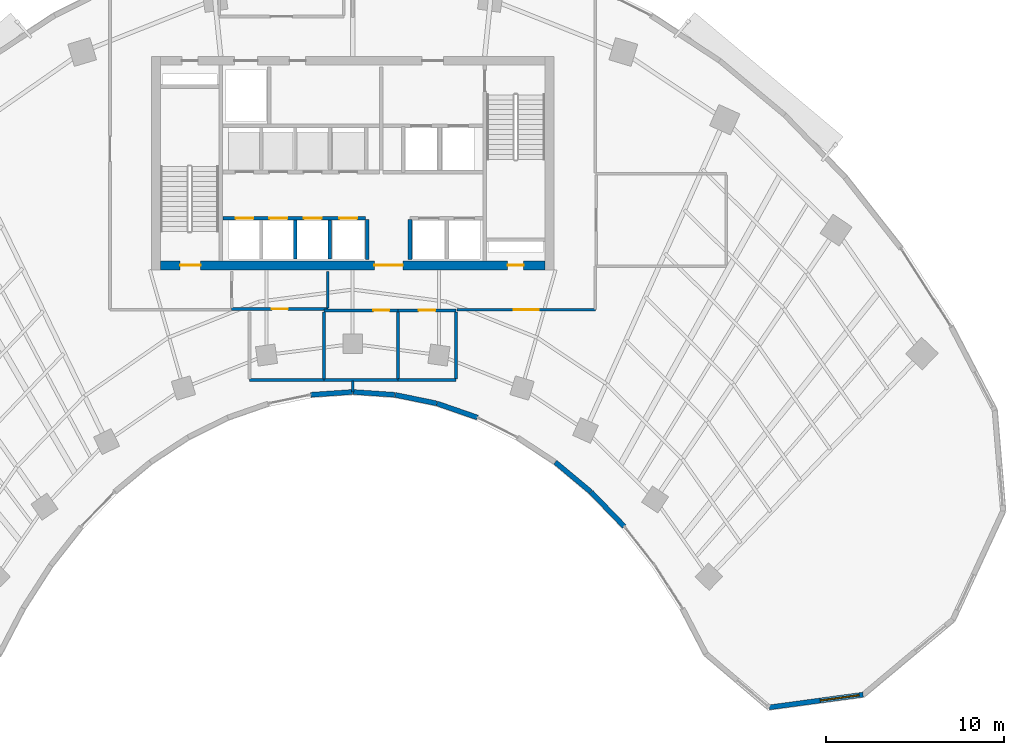
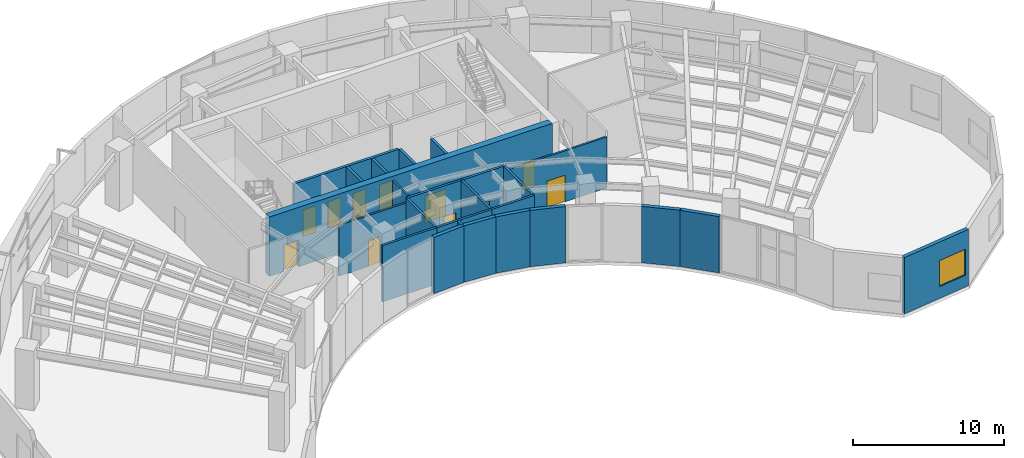
# One storey, part 9 of 15: 25 walls, 11 doors, 1 window, 12 openings.
"""IFC4 building model written with IfcOpenShell, lengths in metres."""

import ifcopenshell
import ifcopenshell.guid

model = None  # the IFC model being written
_history = None  # IfcOwnerHistory: only IFC2X3 demands one
_inside = {}  # id of a spatial element -> (the spatial element, [elements in it])
_under = {}  # id of a project, library or spatial element -> (it, [spatial elements below it])
_declared = {}  # id of a project -> (the project, [libraries it declares])
_typed = {}  # id of a type object -> (the type object, [elements of that type])
_made_of = {}  # id of a material, layer set ... -> (it, [elements and type objects made of it])


def new_model(schema):
    """Start an empty IFC model of exactly this schema.

    Asked for "IFC4X3", IfcOpenShell would pick the latest addendum, in which some entities
    have other attributes; the version numbers below select the first issue.
    IFC2X3 requires an IfcOwnerHistory on every rooted entity: one is made here for all.
    """
    global model, _history
    if schema == "IFC4X3":
        model = ifcopenshell.file(schema_version=(4, 3, 0, 0))
    else:
        model = ifcopenshell.file(schema=schema)
    _inside.clear()
    _under.clear()
    _declared.clear()
    _typed.clear()
    _made_of.clear()
    _history = None
    if model.schema == "IFC2X3":
        org = make("IfcOrganization", Name="unknown")
        user = make(
            "IfcPersonAndOrganization",
            ThePerson=make("IfcPerson", FamilyName="unknown"),
            TheOrganization=org,
        )
        app = make(
            "IfcApplication",
            ApplicationDeveloper=org,
            Version="unknown",
            ApplicationFullName="unknown",
            ApplicationIdentifier="unknown",
        )
        _history = make(
            "IfcOwnerHistory",
            OwningUser=user,
            OwningApplication=app,
            ChangeAction="ADDED",
            CreationDate=0,
        )
    return model


def make(cls, **values):
    """One entity of the class cls with the attributes given. An attribute that is None is left unset."""
    return model.create_entity(
        cls, **{name: value for name, value in values.items() if value is not None}
    )


def rooted(cls, **values):
    """An entity with a GlobalId (a new one), such as an element, a storey or a relation."""
    return make(cls, GlobalId=ifcopenshell.guid.new(), OwnerHistory=_history, **values)


def si_unit(unit_type, name, prefix=None):
    """IfcSIUnit, for example si_unit("LENGTHUNIT", "METRE", prefix="MILLI")."""
    return make("IfcSIUnit", UnitType=unit_type, Prefix=prefix, Name=name)


def assignment(units):
    """IfcUnitAssignment: the units of a project."""
    return None if units is None else make("IfcUnitAssignment", Units=units)


def point(xyz):
    """IfcCartesianPoint."""
    return None if xyz is None else make("IfcCartesianPoint", Coordinates=xyz)


def direction(xyz):
    """IfcDirection."""
    return None if xyz is None else make("IfcDirection", DirectionRatios=xyz)


def frame(location, z_axis=None, x_axis=None):
    """IfcAxis2Placement3D, a coordinate frame: its origin and axes. An axis left out is left unset."""
    return make(
        "IfcAxis2Placement3D",
        Location=point(location),
        Axis=direction(z_axis),
        RefDirection=direction(x_axis),
    )


def frame_2d(location, x_axis=None):
    """IfcAxis2Placement2D, a coordinate frame in the plane: its origin and x axis."""
    return make(
        "IfcAxis2Placement2D", Location=point(location), RefDirection=direction(x_axis)
    )


def origin():
    """The frame at (0, 0, 0) with its axes left unset."""
    return frame((0.0, 0.0, 0.0))


def place(relative_to, where):
    """IfcLocalPlacement: puts the frame where relative to a parent placement (None: the world)."""
    return make(
        "IfcLocalPlacement", PlacementRelTo=relative_to, RelativePlacement=where
    )


def context(
    kind, dimensions, precision=None, world=None, true_north=None, identifier=None
):
    """IfcGeometricRepresentationContext, for example the 3D "Model" context."""
    return make(
        "IfcGeometricRepresentationContext",
        ContextIdentifier=identifier,
        ContextType=kind,
        CoordinateSpaceDimension=dimensions,
        Precision=precision,
        WorldCoordinateSystem=world,
        TrueNorth=true_north,
    )


def subcontext(parent, identifier, kind, view, scale=None):
    """IfcGeometricRepresentationSubContext, for example "Body" below "Model"."""
    return make(
        "IfcGeometricRepresentationSubContext",
        ContextIdentifier=identifier,
        ContextType=kind,
        ParentContext=parent,
        TargetScale=scale,
        TargetView=view,
    )


def project(units=None, contexts=None):
    """IfcProject with its units and contexts."""
    return rooted(
        "IfcProject",
        Name="project",
        RepresentationContexts=contexts,
        UnitsInContext=assignment(units),
    )


def spatial(cls, under=None, at=None, **own):
    """A site, building, storey or space (cls), placed at a placement, below another one or the project."""
    s = rooted(cls, ObjectPlacement=at, **own)
    if under is not None:
        _under.setdefault(under.id(), (under, []))[1].append(s)
    return s


def profile(cls, at=None, kind="AREA", **sizes):
    """A parametric profile (cls). Its sizes go by their IFC names, for example OverallWidth=200.0."""
    return make(cls, ProfileType=kind, Position=at, **sizes)


def rectangle(**sizes):
    """IfcRectangleProfileDef."""
    return profile("IfcRectangleProfileDef", **sizes)


def extrude(swept, where, along, depth):
    """IfcExtrudedAreaSolid: the profile swept, set in the frame where, extruded along a direction by depth."""
    return make(
        "IfcExtrudedAreaSolid",
        SweptArea=swept,
        Position=where,
        ExtrudedDirection=direction(along),
        Depth=depth,
    )


def shape(context_of_items, identifier, shape_type, items):
    """IfcShapeRepresentation: the items that make up one representation, for example the "Body"."""
    return make(
        "IfcShapeRepresentation",
        ContextOfItems=context_of_items,
        RepresentationIdentifier=identifier,
        RepresentationType=shape_type,
        Items=items,
    )


def source(mapping_origin, context_of_items, identifier, shape_type, items):
    """IfcRepresentationMap: a shape defined once, which mapped items show again and again."""
    return make(
        "IfcRepresentationMap",
        MappingOrigin=mapping_origin,
        MappedRepresentation=shape(context_of_items, identifier, shape_type, items),
    )


def transform(
    local_origin,
    x_axis=None,
    y_axis=None,
    z_axis=None,
    scale=None,
    scale2=None,
    scale3=None,
    uniform=True,
):
    """IfcCartesianTransformationOperator3D, or its non-uniform kind. x_axis, y_axis, z_axis: its Axis1, 2, 3."""
    if uniform:
        return make(
            "IfcCartesianTransformationOperator3D",
            Axis1=direction(x_axis),
            Axis2=direction(y_axis),
            LocalOrigin=point(local_origin),
            Scale=scale,
            Axis3=direction(z_axis),
        )
    return make(
        "IfcCartesianTransformationOperator3DnonUniform",
        Axis1=direction(x_axis),
        Axis2=direction(y_axis),
        LocalOrigin=point(local_origin),
        Scale=scale,
        Axis3=direction(z_axis),
        Scale2=scale2,
        Scale3=scale3,
    )


def mapped(mapping_source, mapping_target):
    """IfcMappedItem: shows the shape of a source again, moved by a transform."""
    return make(
        "IfcMappedItem", MappingSource=mapping_source, MappingTarget=mapping_target
    )


def material(Name=None, Category=None):
    """IfcMaterial."""
    return make("IfcMaterial", Name=Name, Category=Category)


def layer(
    of_material, thickness, ventilated=None, Name=None, Category=None, Priority=None
):
    """IfcMaterialLayer: one layer of a wall or slab, of a material (None: an air gap)."""
    return make(
        "IfcMaterialLayer",
        Material=of_material,
        LayerThickness=thickness,
        IsVentilated=ventilated,
        Name=Name,
        Category=Category,
        Priority=Priority,
    )


def layer_set(layers, Name=None):
    """IfcMaterialLayerSet."""
    return make("IfcMaterialLayerSet", MaterialLayers=layers, LayerSetName=Name)


def made_of(thing, what):
    """Note that an element or type object is made of a material, layer set ...; save() writes the relation."""
    if what is not None:
        _made_of.setdefault(what.id(), (what, []))[1].append(thing)
    return thing


def type_object(cls, material=None, **own):
    """A type object (cls), such as IfcWallType, which elements share."""
    return made_of(rooted(cls, **own), material)


def type_shapes(of_type, sources):
    """Give a type object the sources (RepresentationMaps) that its elements show as mapped items."""
    of_type.RepresentationMaps = sources


def element(
    cls,
    number,
    at=None,
    inside=None,
    cuts=None,
    type_object=None,
    material=None,
    context=None,
    identifier="Body",
    shape_type=None,
    held_by="IfcProductDefinitionShape",
    body=None,
    shapes=None,
    **own,
):
    """One element of the class cls, such as IfcWall. Its Tag is "e" and its number.

    at: its placement. inside: the storey or other place that contains it. cuts: it is an
    opening in that element (IfcRelVoidsElement). A single representation is given by context,
    identifier, shape_type and body (its items); several are given by shapes. held_by: the class
    of the entity that holds the representations. save() writes the other relations.
    """
    e = rooted(cls, Tag="e%d" % number, ObjectPlacement=at, **own)
    if body is not None:
        shapes = [shape(context, identifier, shape_type, body)]
    if shapes is not None:
        e.Representation = make(held_by, Representations=shapes)
    if inside is not None:
        _inside.setdefault(inside.id(), (inside, []))[1].append(e)
    if cuts is not None:
        rooted(
            "IfcRelVoidsElement", RelatingBuildingElement=cuts, RelatedOpeningElement=e
        )
    if type_object is not None:
        _typed.setdefault(type_object.id(), (type_object, []))[1].append(e)
    return made_of(e, material)


def fill(opening, filler):
    """IfcRelFillsElement: the door or window that sits in an opening."""
    return rooted(
        "IfcRelFillsElement",
        RelatingOpeningElement=opening,
        RelatedBuildingElement=filler,
    )


def aggregate(whole, parts):
    """IfcRelAggregates: a whole, such as a stair, and the parts it consists of."""
    return rooted("IfcRelAggregates", RelatingObject=whole, RelatedObjects=parts)


def save(model, path):
    """Write the relations noted so far, then the file.

    IfcRelAggregates (storeys below a building ...), IfcRelContainedInSpatialStructure (elements
    in a storey), IfcRelDefinesByType, IfcRelAssociatesMaterial and IfcRelDeclares: one each for
    every whole, place, type object, material and project.
    """
    for whole, parts in _under.values():
        aggregate(whole, parts)
    for where, things in _inside.values():
        rooted(
            "IfcRelContainedInSpatialStructure",
            RelatedElements=things,
            RelatingStructure=where,
        )
    for kind, things in _typed.values():
        rooted("IfcRelDefinesByType", RelatedObjects=things, RelatingType=kind)
    for what, things in _made_of.values():
        rooted("IfcRelAssociatesMaterial", RelatedObjects=things, RelatingMaterial=what)
    for by, libraries in _declared.values():
        rooted("IfcRelDeclares", RelatingContext=by, RelatedDefinitions=libraries)
    model.write(path)


model = new_model("IFC4")

# Units and contexts
model_context = context("Model", 3, precision=1e-05, world=origin(), true_north=direction((0.0, 1.0)))
body_context = subcontext(model_context, "Body", "Model", "MODEL_VIEW")
ifc_project = project(units=[si_unit("LENGTHUNIT", "METRE"), si_unit("AREAUNIT", "SQUARE_METRE"), si_unit("VOLUMEUNIT", "CUBIC_METRE"), si_unit("PLANEANGLEUNIT", "RADIAN"), si_unit("MASSUNIT", "GRAM", prefix="KILO")], contexts=[model_context])

# Site, building, storey
site_placement = place(None, origin())
site = spatial("IfcSite", under=ifc_project, at=site_placement, CompositionType="ELEMENT")
building_placement = place(site_placement, origin())
building = spatial("IfcBuilding", under=site, at=building_placement, Name="Breltana Convention Tower", CompositionType="ELEMENT")
storey_placement = place(building_placement, frame((0.0, 0.0, 91.199951171875)))
storey = spatial("IfcBuildingStorey", under=building, at=storey_placement, Name="L21", CompositionType="ELEMENT", Elevation=91.199951171875)

# Wall, openings, doors
ifc_material_1 = material(Name="Concrete C60/75", Category="concrete")
ifc_layer_1 = layer(ifc_material_1, 0.5, Name="Concrete C60/75")
ifc_layer_set_1 = layer_set([ifc_layer_1], Name="Concrete C60/75")
wall_type_1 = type_object("IfcWallType", Name="SW-CORE-500", PredefinedType="SHEAR", material=ifc_layer_set_1)
shared_shape_1 = source(origin(), body_context, "Body", "SweptSolid", [
    extrude(rectangle(XDim=21.60009765625, YDim=0.5, at=frame_2d((10.800048828125, 0.0))), origin(), (0.0, 0.0, 1.0), 4.800048828125),
])
wall_1_placement = place(storey_placement, frame((37.199951171875, 60.449951171875, 0.0), z_axis=(0.0, 0.0, 1.0), x_axis=(1.0, 0.0, 0.0)))
wall_1 = element("IfcWall", 1, at=wall_1_placement, inside=storey, type_object=wall_type_1, Name="L21 South Core Shear Wall", PredefinedType="SHEAR", context=body_context, shape_type="MappedRepresentation", body=[
    mapped(shared_shape_1, transform((0.0, 0.0, 0.0), scale=1.0)),
])
opening_1_placement = place(wall_1_placement, frame((1.10009765625, 0.0, 0.0)))
opening_1 = element("IfcOpeningElement", 2, at=opening_1_placement, cuts=wall_1, Name="Opening D-11", PredefinedType="OPENING", context=body_context, shape_type="SweptSolid", body=[
    extrude(rectangle(XDim=1.14990234375, YDim=2.14990234375, at=frame_2d((0.574951171875, 1.074951171875))), frame((0.0, 0.260009765625, 0.0), z_axis=(0.0, -1.0, 0.0), x_axis=(1.0, 0.0, 0.0)), (0.0, 0.0, 1.0), 0.52001953125),
])
opening_2_placement = place(wall_1_placement, frame((19.5, 0.0, 0.0)))
opening_2 = element("IfcOpeningElement", 3, at=opening_2_placement, cuts=wall_1, Name="Opening D-18", PredefinedType="OPENING", context=body_context, shape_type="SweptSolid", body=[
    extrude(rectangle(XDim=0.89990234375, YDim=2.10009765625, at=frame_2d((0.449951171875, 1.050048828125))), frame((0.0, 0.260009765625, 0.0), z_axis=(0.0, -1.0, 0.0), x_axis=(1.0, 0.0, 0.0)), (0.0, 0.0, 1.0), 0.52001953125),
])
opening_3_placement = place(wall_1_placement, frame((12.02001953125, 0.0, 0.0)))
opening_3 = element("IfcOpeningElement", 4, at=opening_3_placement, cuts=wall_1, Name="Opening D-02", PredefinedType="OPENING", context=body_context, shape_type="SweptSolid", body=[
    extrude(rectangle(XDim=1.60009765625, YDim=2.14990234375, at=frame_2d((0.800048828125, 1.074951171875))), frame((0.0, 0.260009765625, 0.0), z_axis=(0.0, -1.0, 0.0), x_axis=(1.0, 0.0, 0.0)), (0.0, 0.0, 1.0), 0.52001953125),
])
ifc_material_2 = material(Name="Steel Stair Exit Door", Category="steel")
door_type_1 = type_object("IfcDoorType", Name="DR-FD120-1150", OperationType="NOTDEFINED", PredefinedType="DOOR", material=ifc_material_2)
shared_shape_2 = source(origin(), body_context, "Body", "SweptSolid", [
    extrude(rectangle(XDim=1.14990234375, YDim=2.14990234375, at=frame_2d((0.574951171875, 1.074951171875))), frame((0.0, 0.02490234375, 0.0), z_axis=(0.0, -1.0, 0.0), x_axis=(1.0, 0.0, 0.0)), (0.0, 0.0, 1.0), 0.050048828125),
])
type_shapes(door_type_1, [shared_shape_2])
door_1_placement = place(opening_1_placement, origin())
door_1 = element("IfcDoor", 5, at=door_1_placement, inside=storey, type_object=door_type_1, Name="L21 interior door D-L21-ST1", OperationType="SINGLE_SWING_LEFT", OverallHeight=2.14990234375, OverallWidth=1.14990234375, PredefinedType="DOOR", context=body_context, shape_type="MappedRepresentation", body=[
    mapped(shared_shape_2, transform((0.0, 0.0, 0.0), scale=1.0)),
])
fill(opening_1, door_1)
ifc_material_3 = material(Name="Steel Riser Fire Door", Category="steel")
door_type_2 = type_object("IfcDoorType", Name="DR-FD60-900", OperationType="NOTDEFINED", PredefinedType="DOOR", material=ifc_material_3)
shared_shape_3 = source(origin(), body_context, "Body", "SweptSolid", [
    extrude(rectangle(XDim=0.89990234375, YDim=2.10009765625, at=frame_2d((0.449951171875, 1.050048828125))), frame((0.0, 0.02490234375, 0.0), z_axis=(0.0, -1.0, 0.0), x_axis=(1.0, 0.0, 0.0)), (0.0, 0.0, 1.0), 0.050048828125),
])
type_shapes(door_type_2, [shared_shape_3])
door_2_placement = place(opening_2_placement, origin())
door_2 = element("IfcDoor", 6, at=door_2_placement, inside=storey, type_object=door_type_2, Name="L21 Core Riser Access Door D-L21-RS2", OperationType="SINGLE_SWING_RIGHT", OverallHeight=2.10009765625, OverallWidth=0.89990234375, PredefinedType="DOOR", context=body_context, shape_type="MappedRepresentation", body=[
    mapped(shared_shape_3, transform((0.0, 0.0, 0.0), scale=1.0)),
])
fill(opening_2, door_2)
ifc_material_4 = material(Name="Steel Glazed Smoke-Control Door", Category="steel")
door_type_3 = type_object("IfcDoorType", Name="DR-DBL-FD90-1600", OperationType="DOUBLE_DOOR_SINGLE_SWING", PredefinedType="DOOR", material=ifc_material_4)
shared_shape_4 = source(origin(), body_context, "Body", "SweptSolid", [
    extrude(rectangle(XDim=1.60009765625, YDim=2.14990234375, at=frame_2d((0.800048828125, 1.074951171875))), frame((0.0, 0.02490234375, 0.0), z_axis=(0.0, -1.0, 0.0), x_axis=(1.0, 0.0, 0.0)), (0.0, 0.0, 1.0), 0.050048828125),
])
type_shapes(door_type_3, [shared_shape_4])
door_3_placement = place(opening_3_placement, origin())
door_3 = element("IfcDoor", 7, at=door_3_placement, inside=storey, type_object=door_type_3, Name="L21 interior door D-L21-LLB-S", OperationType="DOUBLE_DOOR_SINGLE_SWING", OverallHeight=2.14990234375, OverallWidth=1.60009765625, PredefinedType="DOOR", context=body_context, shape_type="MappedRepresentation", body=[
    mapped(shared_shape_4, transform((0.0, 0.0, 0.0), scale=1.0)),
])
fill(opening_3, door_3)

# Wall, opening, window
ifc_material_5 = material(Name="Limestone Buff Insulated Wall", Category="masonry")
ifc_layer_2 = layer(ifc_material_5, 0.280029296875, Name="Limestone Buff Insulated Wall")
ifc_layer_set_2 = layer_set([ifc_layer_2], Name="Limestone Buff Insulated Wall")
wall_type_2 = type_object("IfcWallType", Name="WL-EXT-NOSE-280", PredefinedType="SOLIDWALL", material=ifc_layer_set_2)
shared_shape_5 = source(origin(), body_context, "Body", "SweptSolid", [
    extrude(rectangle(XDim=5.32373046875, YDim=0.280029296875, at=frame_2d((2.661865234375, 0.0))), origin(), (0.0, 0.0, 1.0), 4.550048828125),
])
wall_2_placement = place(storey_placement, frame((76.685791015625, 36.321533203125, 0.0), z_axis=(0.0, 0.0, 1.0), x_axis=(-0.990931467223, -0.134368252451, 0.0)))
wall_2 = element("IfcWall", 8, at=wall_2_placement, inside=storey, type_object=wall_type_2, Name="L21 curved limestone nose wall E4", PredefinedType="SOLIDWALL", context=body_context, shape_type="MappedRepresentation", body=[
    mapped(shared_shape_5, transform((0.0, 0.0, 0.0), scale=1.0)),
])
opening_4_placement = place(wall_2_placement, frame((0.23095703125, 0.0, 0.949951171875)))
opening_4 = element("IfcOpeningElement", 9, at=opening_4_placement, cuts=wall_2, Name="Opening W-03", PredefinedType="OPENING", context=body_context, shape_type="SweptSolid", body=[
    extrude(rectangle(XDim=2.199951171875, YDim=2.10009765625, at=frame_2d((1.10009765625, 1.050048828125))), frame((0.0, 0.14990234375, 0.0), z_axis=(0.0, -1.0, 0.0), x_axis=(1.0, 0.0, 0.0)), (0.0, 0.0, 1.0), 0.300048828125),
])
ifc_material_6 = material(Name="Glass Low-E Insulated Window", Category="glass")
window_type = type_object("IfcWindowType", Name="WN-NOSE-2200X2100", PartitioningType="TRIPLE_PANEL_VERTICAL", PredefinedType="WINDOW", material=ifc_material_6)
shared_shape_6 = source(origin(), body_context, "Body", "SweptSolid", [
    extrude(rectangle(XDim=2.199951171875, YDim=2.10009765625, at=frame_2d((1.10009765625, 1.050048828125))), frame((0.0, 0.030029296875, 0.0), z_axis=(0.0, -1.0, 0.0), x_axis=(1.0, 0.0, 0.0)), (0.0, 0.0, 1.0), 0.06005859375),
])
type_shapes(window_type, [shared_shape_6])
window_placement = place(opening_4_placement, origin())
window = element("IfcWindow", 10, at=window_placement, inside=storey, type_object=window_type, Name="L21 nose window E4", OverallHeight=2.10009765625, OverallWidth=2.199951171875, PartitioningType="TRIPLE_PANEL_VERTICAL", PredefinedType="WINDOW", context=body_context, shape_type="MappedRepresentation", body=[
    mapped(shared_shape_6, transform((0.0, 0.0, 0.0), scale=1.0)),
])
fill(opening_4, window)

# Walls
shared_shape_7 = source(origin(), body_context, "Body", "SweptSolid", [
    extrude(rectangle(XDim=2.679931640625, YDim=0.280029296875, at=frame_2d((1.33984375, 0.0))), origin(), (0.0, 0.0, 1.0), 4.550048828125),
])
wall_3_placement = place(storey_placement, frame((63.260009765625, 45.780029296875, 0.0), z_axis=(0.0, 0.0, 1.0), x_axis=(-0.694561996568, 0.719432855049, 0.0)))
element("IfcWall", 11, at=wall_3_placement, inside=storey, type_object=wall_type_2, Name="L21 curved limestone nose wall E7", PredefinedType="SOLIDWALL", context=body_context, shape_type="MappedRepresentation", body=[
    mapped(shared_shape_7, transform((0.0, 0.0, 0.0), scale=1.0)),
])
shared_shape_8 = source(origin(), body_context, "Body", "SweptSolid", [
    extrude(rectangle(XDim=2.600830078125, YDim=0.280029296875, at=frame_2d((1.30029296875, 0.0))), origin(), (0.0, 0.0, 1.0), 4.550048828125),
])
wall_4_placement = place(storey_placement, frame((61.384521484375, 47.72119140625, 0.0), z_axis=(0.0, 0.0, 1.0), x_axis=(-0.76796730295, 0.640489048775, 0.0)))
element("IfcWall", 12, at=wall_4_placement, inside=storey, type_object=wall_type_2, Name="L21 curved limestone nose wall E8", PredefinedType="SOLIDWALL", context=body_context, shape_type="MappedRepresentation", body=[
    mapped(shared_shape_8, transform((0.0, 0.0, 0.0), scale=1.0)),
])
shared_shape_9 = source(origin(), body_context, "Body", "SweptSolid", [
    extrude(rectangle(XDim=2.41064453125, YDim=0.280029296875, at=frame_2d((1.205322265625, 0.0))), origin(), (0.0, 0.0, 1.0), 4.550048828125),
])
wall_5_placement = place(storey_placement, frame((55.01171875, 51.8994140625, 0.0), z_axis=(0.0, 0.0, 1.0), x_axis=(-0.944880068161, 0.327416640982, 0.0)))
element("IfcWall", 13, at=wall_5_placement, inside=storey, type_object=wall_type_2, Name="L21 curved limestone nose wall E10", PredefinedType="SOLIDWALL", context=body_context, shape_type="MappedRepresentation", body=[
    mapped(shared_shape_9, transform((0.0, 0.0, 0.0), scale=1.0)),
])
shared_shape_10 = source(origin(), body_context, "Body", "SweptSolid", [
    extrude(rectangle(XDim=2.373779296875, YDim=0.280029296875, at=frame_2d((1.18701171875, 0.0))), origin(), (0.0, 0.0, 1.0), 4.550048828125),
])
wall_6_placement = place(storey_placement, frame((52.711181640625, 52.695068359375, 0.0), z_axis=(0.0, 0.0, 1.0), x_axis=(-0.979619827472, 0.200860632341, 0.0)))
element("IfcWall", 14, at=wall_6_placement, inside=storey, type_object=wall_type_2, Name="L21 curved limestone nose wall E11", PredefinedType="SOLIDWALL", context=body_context, shape_type="MappedRepresentation", body=[
    mapped(shared_shape_10, transform((0.0, 0.0, 0.0), scale=1.0)),
])
shared_shape_11 = source(origin(), body_context, "Body", "SweptSolid", [
    extrude(rectangle(XDim=2.35498046875, YDim=0.280029296875, at=frame_2d((1.177490234375, 0.0))), origin(), (0.0, 0.0, 1.0), 4.550048828125),
])
for number, where, z_axis, x_axis, name in (
    (15, (50.36181640625, 53.175048828125, 0.0), (0.0, 0.0, 1.0), (-0.997699017577, 0.067798748701, 0.0), "L21 curved limestone nose wall E12"),
    (16, (47.98779296875, 53.334716796875, 0.0), (0.0, 0.0, 1.0), (-0.997699017577, -0.067798748701, 0.0), "L21 curved limestone nose wall E13"),
):
    element("IfcWall", number, at=place(storey_placement, frame(where, z_axis=z_axis, x_axis=x_axis)), inside=storey, type_object=wall_type_2, Name=name, PredefinedType="SOLIDWALL", context=body_context, shape_type="MappedRepresentation", body=[
        mapped(shared_shape_11, transform((0.0, 0.0, 0.0), scale=1.0)),
    ])
ifc_material_7 = material(Name="Autoclaved Aerated Concrete Block", Category="concrete")
ifc_layer_3 = layer(ifc_material_7, 0.199951171875, Name="Autoclaved Aerated Concrete Block")
ifc_layer_set_3 = layer_set([ifc_layer_3], Name="Autoclaved Aerated Concrete Block")
wall_type_3 = type_object("IfcWallType", Name="WL-SHAFT-200", PredefinedType="SOLIDWALL", material=ifc_layer_set_3)
shared_shape_12 = source(origin(), body_context, "Body", "SweptSolid", [
    extrude(rectangle(XDim=2.239990234375, YDim=0.199951171875, at=frame_2d((1.1201171875, 0.0))), origin(), (0.0, 0.0, 1.0), 4.550048828125),
])
for number, where, z_axis, x_axis, name in (
    (17, (48.820068359375, 60.780029296875, 0.0), (0.0, 0.0, 1.0), (0.0, 1.0, 0.0), "L21 interior partition W-L21-PORT-W"),
    (18, (51.219970703125, 60.780029296875, 0.0), (0.0, 0.0, 1.0), (0.0, 1.0, 0.0), "L21 interior partition W-L21-PORT-E"),
):
    element("IfcWall", number, at=place(storey_placement, frame(where, z_axis=z_axis, x_axis=x_axis)), inside=storey, type_object=wall_type_3, Name=name, PredefinedType="SOLIDWALL", context=body_context, shape_type="MappedRepresentation", body=[
        mapped(shared_shape_12, transform((0.0, 0.0, 0.0), scale=1.0)),
    ])

# Wall, openings, doors
shared_shape_13 = source(origin(), body_context, "Body", "SweptSolid", [
    extrude(rectangle(XDim=8.02001953125, YDim=0.199951171875, at=frame_2d((4.010009765625, 0.0))), origin(), (0.0, 0.0, 1.0), 4.550048828125),
])
wall_7_placement = place(storey_placement, frame((40.699951171875, 63.10009765625, 0.0), z_axis=(0.0, 0.0, 1.0), x_axis=(1.0, 0.0, 0.0)))
wall_7 = element("IfcWall", 19, at=wall_7_placement, inside=storey, type_object=wall_type_3, Name="L21 interior partition W-L21-SH-S-FRONT", PredefinedType="SOLIDWALL", context=body_context, shape_type="MappedRepresentation", body=[
    mapped(shared_shape_13, transform((0.0, 0.0, 0.0), scale=1.0)),
])
opening_5_placement = place(wall_7_placement, frame((0.719970703125, 0.0, 0.0)))
opening_5 = element("IfcOpeningElement", 20, at=opening_5_placement, cuts=wall_7, Name="Opening LD-04", PredefinedType="OPENING", context=body_context, shape_type="SweptSolid", body=[
    extrude(rectangle(XDim=1.0, YDim=2.14990234375, at=frame_2d((0.5, 1.074951171875))), frame((0.0, 0.10986328125, 0.0), z_axis=(0.0, -1.0, 0.0), x_axis=(1.0, 0.0, 0.0)), (0.0, 0.0, 1.0), 0.219970703125),
])
opening_6_placement = place(wall_7_placement, frame((2.6201171875, 0.0, 0.0)))
opening_6 = element("IfcOpeningElement", 21, at=opening_6_placement, cuts=wall_7, Name="Opening LD-04", PredefinedType="OPENING", context=body_context, shape_type="SweptSolid", body=[
    extrude(rectangle(XDim=1.0, YDim=2.14990234375, at=frame_2d((0.5, 1.074951171875))), frame((0.0, 0.10986328125, 0.0), z_axis=(0.0, -1.0, 0.0), x_axis=(1.0, 0.0, 0.0)), (0.0, 0.0, 1.0), 0.219970703125),
])
opening_7_placement = place(wall_7_placement, frame((4.550048828125, 0.0, 0.0)))
opening_7 = element("IfcOpeningElement", 22, at=opening_7_placement, cuts=wall_7, Name="Opening LD-04", PredefinedType="OPENING", context=body_context, shape_type="SweptSolid", body=[
    extrude(rectangle(XDim=1.0, YDim=2.14990234375, at=frame_2d((0.5, 1.074951171875))), frame((0.0, 0.10986328125, 0.0), z_axis=(0.0, -1.0, 0.0), x_axis=(1.0, 0.0, 0.0)), (0.0, 0.0, 1.0), 0.219970703125),
])
opening_8_placement = place(wall_7_placement, frame((6.550048828125, 0.0, 0.0)))
opening_8 = element("IfcOpeningElement", 23, at=opening_8_placement, cuts=wall_7, Name="Opening LD-04", PredefinedType="OPENING", context=body_context, shape_type="SweptSolid", body=[
    extrude(rectangle(XDim=1.0, YDim=2.14990234375, at=frame_2d((0.5, 1.074951171875))), frame((0.0, 0.10986328125, 0.0), z_axis=(0.0, -1.0, 0.0), x_axis=(1.0, 0.0, 0.0)), (0.0, 0.0, 1.0), 0.219970703125),
])
ifc_material_8 = material(Name="Stainless Steel Brushed", Category="steel")
door_type_4 = type_object("IfcDoorType", Name="DR-LD-PAX-1000", OperationType="DOUBLE_DOOR_SLIDING", PredefinedType="DOOR", material=ifc_material_8)
shared_shape_14 = source(origin(), body_context, "Body", "SweptSolid", [
    extrude(rectangle(XDim=1.0, YDim=2.14990234375, at=frame_2d((0.5, 1.074951171875))), frame((0.0, 0.02490234375, 0.0), z_axis=(0.0, -1.0, 0.0), x_axis=(1.0, 0.0, 0.0)), (0.0, 0.0, 1.0), 0.050048828125),
])
type_shapes(door_type_4, [shared_shape_14])
door_4_placement = place(opening_5_placement, origin())
door_4 = element("IfcDoor", 24, at=door_4_placement, inside=storey, type_object=door_type_4, Name="L21 Lift Landing Door D-L21-LD-S1", OperationType="DOUBLE_DOOR_SLIDING", OverallHeight=2.14990234375, OverallWidth=1.0, PredefinedType="DOOR", context=body_context, shape_type="MappedRepresentation", body=[
    mapped(shared_shape_14, transform((0.0, 0.0, 0.0), scale=1.0)),
])
fill(opening_5, door_4)
door_5_placement = place(opening_6_placement, origin())
door_5 = element("IfcDoor", 25, at=door_5_placement, inside=storey, type_object=door_type_4, Name="L21 Lift Landing Door D-L21-LD-S2", OperationType="DOUBLE_DOOR_SLIDING", OverallHeight=2.14990234375, OverallWidth=1.0, PredefinedType="DOOR", context=body_context, shape_type="MappedRepresentation", body=[
    mapped(shared_shape_14, transform((0.0, 0.0, 0.0), scale=1.0)),
])
fill(opening_6, door_5)
door_6_placement = place(opening_7_placement, origin())
door_6 = element("IfcDoor", 26, at=door_6_placement, inside=storey, type_object=door_type_4, Name="L21 Lift Landing Door D-L21-LD-S3", OperationType="DOUBLE_DOOR_SLIDING", OverallHeight=2.14990234375, OverallWidth=1.0, PredefinedType="DOOR", context=body_context, shape_type="MappedRepresentation", body=[
    mapped(shared_shape_14, transform((0.0, 0.0, 0.0), scale=1.0)),
])
fill(opening_7, door_6)
door_7_placement = place(opening_8_placement, origin())
door_7 = element("IfcDoor", 27, at=door_7_placement, inside=storey, type_object=door_type_4, Name="L21 Lift Landing Door D-L21-LD-S4", OperationType="DOUBLE_DOOR_SLIDING", OverallHeight=2.14990234375, OverallWidth=1.0, PredefinedType="DOOR", context=body_context, shape_type="MappedRepresentation", body=[
    mapped(shared_shape_14, transform((0.0, 0.0, 0.0), scale=1.0)),
])
fill(opening_8, door_7)

# Walls
shared_shape_15 = source(origin(), body_context, "Body", "SweptSolid", [
    extrude(rectangle(XDim=2.199951171875, YDim=0.199951171875, at=frame_2d((1.10009765625, 0.0))), origin(), (0.0, 0.0, 1.0), 4.550048828125),
])
for number, where, z_axis, x_axis, name in (
    (28, (44.77001953125, 60.800048828125, 0.0), (0.0, 0.0, 1.0), (0.0, 1.0, 0.0), "L21 interior partition W-L21-SH-S-DIV2"),
    (29, (46.699951171875, 60.800048828125, 0.0), (0.0, 0.0, 1.0), (0.0, 1.0, 0.0), "L21 interior partition W-L21-SH-S-DIV3"),
):
    element("IfcWall", number, at=place(storey_placement, frame(where, z_axis=z_axis, x_axis=x_axis)), inside=storey, type_object=wall_type_3, Name=name, PredefinedType="SOLIDWALL", context=body_context, shape_type="MappedRepresentation", body=[
        mapped(shared_shape_15, transform((0.0, 0.0, 0.0), scale=1.0)),
    ])

# Wall, opening, door
ifc_material_9 = material(Name="Gypsum Acoustic Drywall Partition")
ifc_layer_4 = layer(ifc_material_9, 0.14990234375, Name="Gypsum Acoustic Drywall Partition")
ifc_layer_set_4 = layer_set([ifc_layer_4], Name="Gypsum Acoustic Drywall Partition")
wall_type_4 = type_object("IfcWallType", Name="WL-PART-150", PredefinedType="PARTITIONING", material=ifc_layer_set_4)
shared_shape_16 = source(origin(), body_context, "Body", "SweptSolid", [
    extrude(rectangle(XDim=5.400146484375, YDim=0.14990234375, at=frame_2d((2.7001953125, 0.0))), origin(), (0.0, 0.0, 1.0), 4.116943359375),
])
wall_8_placement = place(storey_placement, frame((41.199951171875, 58.0, 0.0), z_axis=(0.0, 0.0, 1.0), x_axis=(1.0, 0.0, 0.0)))
wall_8 = element("IfcWall", 30, at=wall_8_placement, inside=storey, type_object=wall_type_4, Name="L21 interior partition W-L21-CRSC-S", PredefinedType="PARTITIONING", context=body_context, shape_type="MappedRepresentation", body=[
    mapped(shared_shape_16, transform((0.0, 0.0, 0.0), scale=1.0)),
])
opening_9_placement = place(wall_8_placement, frame((2.25, 0.0, 0.0)))
opening_9 = element("IfcOpeningElement", 31, at=opening_9_placement, cuts=wall_8, Name="Opening D-19", PredefinedType="OPENING", context=body_context, shape_type="SweptSolid", body=[
    extrude(rectangle(XDim=0.89990234375, YDim=2.080078125, at=frame_2d((0.449951171875, 1.0400390625))), frame((0.0, 0.0849609375, 0.0), z_axis=(0.0, -1.0, 0.0), x_axis=(1.0, 0.0, 0.0)), (0.0, 0.0, 1.0), 0.169921875),
])
ifc_material_10 = material(Name="Timber Moisture-Resistant Door", Category="wood")
door_type_5 = type_object("IfcDoorType", Name="DR-WC-900", OperationType="NOTDEFINED", PredefinedType="DOOR", material=ifc_material_10)
shared_shape_17 = source(origin(), body_context, "Body", "SweptSolid", [
    extrude(rectangle(XDim=0.89990234375, YDim=2.080078125, at=frame_2d((0.449951171875, 1.0400390625))), frame((0.0, 0.02490234375, 0.0), z_axis=(0.0, -1.0, 0.0), x_axis=(1.0, 0.0, 0.0)), (0.0, 0.0, 1.0), 0.050048828125),
])
type_shapes(door_type_5, [shared_shape_17])
door_8_placement = place(opening_9_placement, origin())
door_8 = element("IfcDoor", 32, at=door_8_placement, inside=storey, type_object=door_type_5, Name="L21 interior door D-L21-WCM", OperationType="SINGLE_SWING_LEFT", OverallHeight=2.080078125, OverallWidth=0.89990234375, PredefinedType="DOOR", context=body_context, shape_type="MappedRepresentation", body=[
    mapped(shared_shape_17, transform((0.0, 0.0, 0.0), scale=1.0)),
])
fill(opening_9, door_8)

# Walls
shared_shape_18 = source(origin(), body_context, "Body", "SweptSolid", [
    extrude(rectangle(XDim=2.03271484375, YDim=0.14990234375, at=frame_2d((1.016357421875, 0.0))), origin(), (0.0, 0.0, 1.0), 4.550048828125),
])
wall_9_placement = place(storey_placement, frame((46.60009765625, 58.0673828125, 0.0), z_axis=(0.0, 0.0, 1.0), x_axis=(0.0, 1.0, 0.0)))
element("IfcWall", 33, at=wall_9_placement, inside=storey, type_object=wall_type_4, Name="L21 interior partition W-L21-CRSC-E", PredefinedType="PARTITIONING", context=body_context, shape_type="MappedRepresentation", body=[
    mapped(shared_shape_18, transform((0.0, 0.0, 0.0), scale=1.0)),
])
ifc_material_11 = material(Name="Cement Board Wet-Area Partition")
ifc_layer_5 = layer(ifc_material_11, 0.175048828125, Name="Cement Board Wet-Area Partition")
ifc_layer_set_5 = layer_set([ifc_layer_5], Name="Cement Board Wet-Area Partition")
wall_type_5 = type_object("IfcWallType", Name="WL-WET-175", PredefinedType="PARTITIONING", material=ifc_layer_set_5)
shared_shape_19 = source(origin(), body_context, "Body", "SweptSolid", [
    extrude(rectangle(XDim=4.176025390625, YDim=0.175048828125, at=frame_2d((2.087890625, 0.0))), origin(), (0.0, 0.0, 1.0), 4.550048828125),
])
for number, where, z_axis, x_axis, name in (
    (34, (42.199951171875, 54.0, 0.0), (0.0, 0.0, 1.0), (1.0, 0.0, 0.0), "L21 interior partition W-L21-WCM-S"),
    (35, (46.3759765625, 54.0, 0.0), (0.0, 0.0, 1.0), (1.0, 0.0, 0.0), "L21 interior partition W-L21-WCF-S"),
):
    element("IfcWall", number, at=place(storey_placement, frame(where, z_axis=z_axis, x_axis=x_axis)), inside=storey, type_object=wall_type_5, Name=name, PredefinedType="PARTITIONING", context=body_context, shape_type="MappedRepresentation", body=[
        mapped(shared_shape_19, transform((0.0, 0.0, 0.0), scale=1.0)),
    ])
shared_shape_20 = source(origin(), body_context, "Body", "SweptSolid", [
    extrude(rectangle(XDim=3.7626953125, YDim=0.175048828125, at=frame_2d((1.88134765625, 0.0))), origin(), (0.0, 0.0, 1.0), 4.550048828125),
])
for number, where, z_axis, x_axis, name in (
    (36, (46.3759765625, 54.07861328125, 0.0), (0.0, 0.0, 1.0), (0.0, 1.0, 0.0), "L21 interior partition W-L21-WCM-E"),
    (37, (50.552001953125, 54.07861328125, 0.0), (0.0, 0.0, 1.0), (0.0, 1.0, 0.0), "L21 interior partition W-L21-WCF-E"),
    (38, (53.800048828125, 54.07861328125, 0.0), (0.0, 0.0, 1.0), (0.0, 1.0, 0.0), "L21 interior partition W-L21-WCA-E"),
):
    element("IfcWall", number, at=place(storey_placement, frame(where, z_axis=z_axis, x_axis=x_axis)), inside=storey, type_object=wall_type_5, Name=name, PredefinedType="PARTITIONING", context=body_context, shape_type="MappedRepresentation", body=[
        mapped(shared_shape_20, transform((0.0, 0.0, 0.0), scale=1.0)),
    ])

# Wall, opening, door
ifc_material_12 = material(Name="Moisture-Resistant Gypsum Chase Wall")
ifc_layer_6 = layer(ifc_material_12, 0.179931640625, Name="Moisture-Resistant Gypsum Chase Wall")
ifc_layer_set_6 = layer_set([ifc_layer_6], Name="Moisture-Resistant Gypsum Chase Wall")
wall_type_6 = type_object("IfcWallType", Name="WL-PLUMB-180", PredefinedType="PLUMBINGWALL", material=ifc_layer_set_6)
shared_shape_21 = source(origin(), body_context, "Body", "SweptSolid", [
    extrude(rectangle(XDim=4.176025390625, YDim=0.179931640625, at=frame_2d((2.087890625, 0.0))), origin(), (0.0, 0.0, 1.0), 4.550048828125),
])
wall_10_placement = place(storey_placement, frame((46.3759765625, 57.919921875, 0.0), z_axis=(0.0, 0.0, 1.0), x_axis=(1.0, 0.0, 0.0)))
wall_10 = element("IfcWall", 39, at=wall_10_placement, inside=storey, type_object=wall_type_6, Name="L21 interior partition W-L21-WCF-N", PredefinedType="PLUMBINGWALL", context=body_context, shape_type="MappedRepresentation", body=[
    mapped(shared_shape_21, transform((0.0, 0.0, 0.0), scale=1.0)),
])
opening_10_placement = place(wall_10_placement, frame((2.7880859375, 0.0, 0.0)))
opening_10 = element("IfcOpeningElement", 40, at=opening_10_placement, cuts=wall_10, Name="Opening D-19", PredefinedType="OPENING", context=body_context, shape_type="SweptSolid", body=[
    extrude(rectangle(XDim=0.89990234375, YDim=2.080078125, at=frame_2d((0.449951171875, 1.0400390625))), frame((0.0, 0.10009765625, 0.0), z_axis=(0.0, -1.0, 0.0), x_axis=(1.0, 0.0, 0.0)), (0.0, 0.0, 1.0), 0.199951171875),
])
door_9_placement = place(opening_10_placement, origin())
door_9 = element("IfcDoor", 41, at=door_9_placement, inside=storey, type_object=door_type_5, Name="L21 interior door D-L21-WCF", OperationType="SINGLE_SWING_RIGHT", OverallHeight=2.080078125, OverallWidth=0.89990234375, PredefinedType="DOOR", context=body_context, shape_type="MappedRepresentation", body=[
    mapped(shared_shape_17, transform((0.0, 0.0, 0.0), scale=1.0)),
])
fill(opening_10, door_9)

# Wall
shared_shape_22 = source(origin(), body_context, "Body", "SweptSolid", [
    extrude(rectangle(XDim=3.248046875, YDim=0.175048828125, at=frame_2d((1.6240234375, 0.0))), origin(), (0.0, 0.0, 1.0), 4.550048828125),
])
wall_11_placement = place(storey_placement, frame((50.552001953125, 54.0, 0.0), z_axis=(0.0, 0.0, 1.0), x_axis=(1.0, 0.0, 0.0)))
element("IfcWall", 42, at=wall_11_placement, inside=storey, type_object=wall_type_5, Name="L21 interior partition W-L21-WCA-S", PredefinedType="PARTITIONING", context=body_context, shape_type="MappedRepresentation", body=[
    mapped(shared_shape_22, transform((0.0, 0.0, 0.0), scale=1.0)),
])

# Wall, opening, door
shared_shape_23 = source(origin(), body_context, "Body", "SweptSolid", [
    extrude(rectangle(XDim=3.248046875, YDim=0.179931640625, at=frame_2d((1.6240234375, 0.0))), origin(), (0.0, 0.0, 1.0), 4.550048828125),
])
wall_12_placement = place(storey_placement, frame((50.552001953125, 57.919921875, 0.0), z_axis=(0.0, 0.0, 1.0), x_axis=(1.0, 0.0, 0.0)))
wall_12 = element("IfcWall", 43, at=wall_12_placement, inside=storey, type_object=wall_type_6, Name="L21 interior partition W-L21-WCA-N", PredefinedType="PLUMBINGWALL", context=body_context, shape_type="MappedRepresentation", body=[
    mapped(shared_shape_23, transform((0.0, 0.0, 0.0), scale=1.0)),
])
opening_11_placement = place(wall_12_placement, frame((1.14892578125, 0.0, 0.0)))
opening_11 = element("IfcOpeningElement", 44, at=opening_11_placement, cuts=wall_12, Name="Opening D-16", PredefinedType="OPENING", context=body_context, shape_type="SweptSolid", body=[
    extrude(rectangle(XDim=0.949951171875, YDim=2.1201171875, at=frame_2d((0.47509765625, 1.06005859375))), frame((0.0, 0.10009765625, 0.0), z_axis=(0.0, -1.0, 0.0), x_axis=(1.0, 0.0, 0.0)), (0.0, 0.0, 1.0), 0.199951171875),
])
ifc_material_13 = material(Name="Timber Laminate Accessible Door", Category="wood")
door_type_6 = type_object("IfcDoorType", Name="DR-ACC-950", OperationType="NOTDEFINED", PredefinedType="DOOR", material=ifc_material_13)
shared_shape_24 = source(origin(), body_context, "Body", "SweptSolid", [
    extrude(rectangle(XDim=0.949951171875, YDim=2.1201171875, at=frame_2d((0.47509765625, 1.06005859375))), frame((0.0, 0.02490234375, 0.0), z_axis=(0.0, -1.0, 0.0), x_axis=(1.0, 0.0, 0.0)), (0.0, 0.0, 1.0), 0.050048828125),
])
type_shapes(door_type_6, [shared_shape_24])
door_10_placement = place(opening_11_placement, origin())
door_10 = element("IfcDoor", 45, at=door_10_placement, inside=storey, type_object=door_type_6, Name="L21 interior door D-L21-WCA", OperationType="SINGLE_SWING_LEFT", OverallHeight=2.1201171875, OverallWidth=0.949951171875, PredefinedType="DOOR", context=body_context, shape_type="MappedRepresentation", body=[
    mapped(shared_shape_24, transform((0.0, 0.0, 0.0), scale=1.0)),
])
fill(opening_11, door_10)

# Wall
shared_shape_25 = source(origin(), body_context, "Body", "SweptSolid", [
    extrude(rectangle(XDim=0.60546875, YDim=0.14990234375, at=frame_2d((0.302734375, 0.0))), origin(), (0.0, 0.0, 1.0), 4.550048828125),
])
wall_13_placement = place(storey_placement, frame((48.0, 53.344482421875, 0.0), z_axis=(0.0, 0.0, 1.0), x_axis=(0.0, 1.0, 0.0)))
element("IfcWall", 46, at=wall_13_placement, inside=storey, type_object=wall_type_4, Name="L21 interior partition W-L21-L21-MID", PredefinedType="PARTITIONING", context=body_context, shape_type="MappedRepresentation", body=[
    mapped(shared_shape_25, transform((0.0, 0.0, 0.0), scale=1.0)),
])

# Wall, opening, door
shared_shape_26 = source(origin(), body_context, "Body", "SweptSolid", [
    extrude(rectangle(XDim=7.789794921875, YDim=0.14990234375, at=frame_2d((3.89501953125, 0.0))), origin(), (0.0, 0.0, 1.0), 4.116943359375),
])
wall_14_placement = place(storey_placement, frame((53.85009765625, 57.9599609375, 0.0), z_axis=(0.0, 0.0, 1.0), x_axis=(1.0, 0.0, 0.0)))
wall_14 = element("IfcWall", 47, at=wall_14_placement, inside=storey, type_object=wall_type_4, Name="L21 interior partition W-L21-L21-E", PredefinedType="PARTITIONING", context=body_context, shape_type="MappedRepresentation", body=[
    mapped(shared_shape_26, transform((0.0, 0.0, 0.0), scale=1.0)),
])
opening_12_placement = place(wall_14_placement, frame((3.195068359375, 0.0, 0.0)))
opening_12 = element("IfcOpeningElement", 48, at=opening_12_placement, cuts=wall_14, Name="Opening D-05", PredefinedType="OPENING", context=body_context, shape_type="SweptSolid", body=[
    extrude(rectangle(XDim=1.39990234375, YDim=2.14990234375, at=frame_2d((0.699951171875, 1.074951171875))), frame((0.0, 0.0849609375, 0.0), z_axis=(0.0, -1.0, 0.0), x_axis=(1.0, 0.0, 0.0)), (0.0, 0.0, 1.0), 0.169921875),
])
ifc_material_14 = material(Name="Timber Veneer Glazed Double Door", Category="wood")
door_type_7 = type_object("IfcDoorType", Name="DR-DBL-1400", OperationType="DOUBLE_DOOR_SINGLE_SWING", PredefinedType="DOOR", material=ifc_material_14)
shared_shape_27 = source(origin(), body_context, "Body", "SweptSolid", [
    extrude(rectangle(XDim=1.39990234375, YDim=2.14990234375, at=frame_2d((0.699951171875, 1.074951171875))), frame((0.0, 0.02490234375, 0.0), z_axis=(0.0, -1.0, 0.0), x_axis=(1.0, 0.0, 0.0)), (0.0, 0.0, 1.0), 0.050048828125),
])
type_shapes(door_type_7, [shared_shape_27])
door_11_placement = place(opening_12_placement, origin())
door_11 = element("IfcDoor", 49, at=door_11_placement, inside=storey, type_object=door_type_7, Name="L21 interior door D-L21-SCLB", OperationType="SINGLE_SWING_LEFT", OverallHeight=2.14990234375, OverallWidth=1.39990234375, PredefinedType="DOOR", context=body_context, shape_type="MappedRepresentation", body=[
    mapped(shared_shape_27, transform((0.0, 0.0, 0.0), scale=1.0)),
])
fill(opening_12, door_11)

save(model, "model.ifc")
